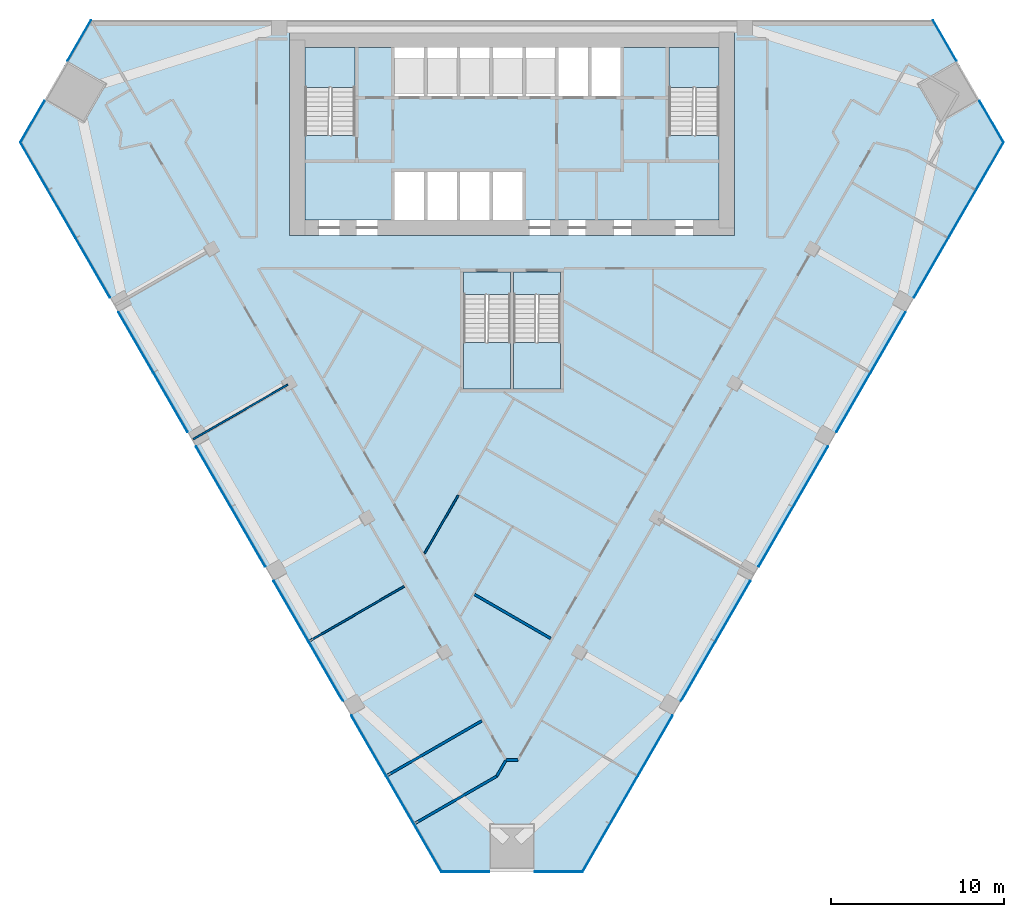
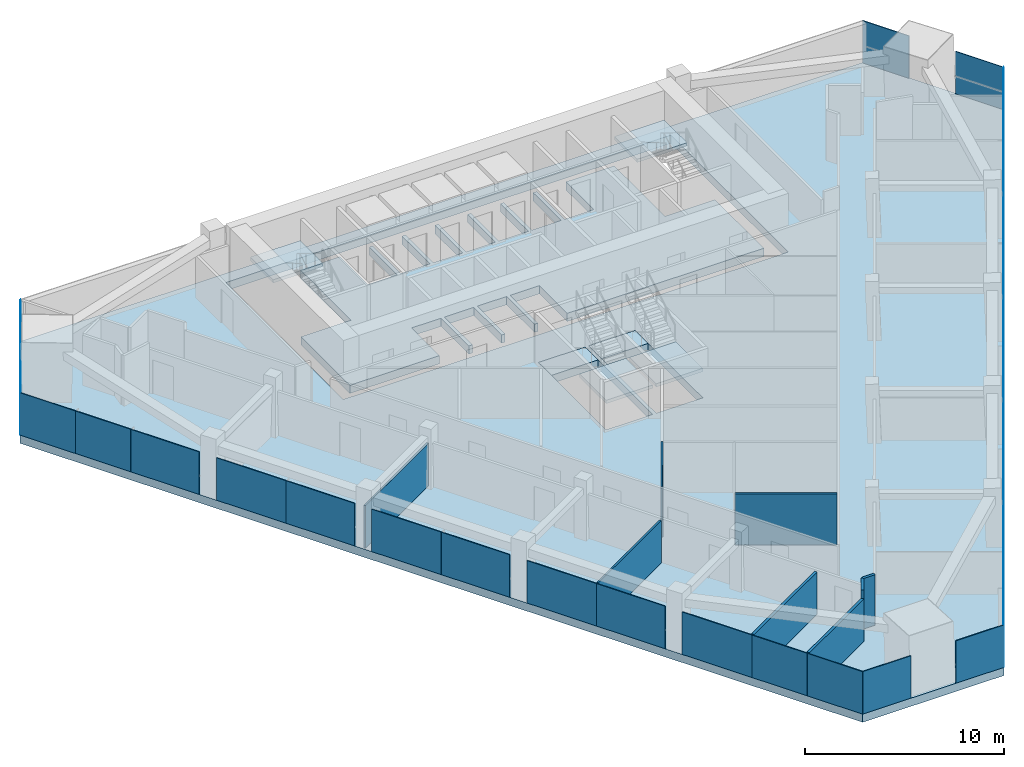
# One storey, part 8 of 14: 30 plates, 8 slabs, 8 walls, 9 elements without a shape of their own.
"""IFC4 building model written with IfcOpenShell, lengths in metres."""

from ifc_helpers import new_model, si_unit, direction, frame, frame_2d, origin, origin_2d, place, context, subcontext, project, spatial, polyline, rectangle, outline, extrude, material, layer, layer_set, type_object, element, aggregate, save


model = new_model("IFC4")

# Units and contexts
model_context = context("Model", 3, precision=1e-05, world=origin(), true_north=direction((0.0, 1.0)))
body_context = subcontext(model_context, "Body", "Model", "MODEL_VIEW")
ifc_project = project(units=[si_unit("LENGTHUNIT", "METRE"), si_unit("AREAUNIT", "SQUARE_METRE"), si_unit("VOLUMEUNIT", "CUBIC_METRE"), si_unit("PLANEANGLEUNIT", "RADIAN"), si_unit("MASSUNIT", "GRAM", prefix="KILO")], contexts=[model_context])

# Site, building, storey
site_placement = place(None, origin())
site = spatial("IfcSite", under=ifc_project, at=site_placement, CompositionType="ELEMENT")
building_placement = place(site_placement, origin())
building = spatial("IfcBuilding", under=site, at=building_placement, Name="Altiplano Prism Tower", CompositionType="ELEMENT")
storey_placement = place(building_placement, frame((0.0, 0.0, 111.60009765625)))
storey = spatial("IfcBuildingStorey", under=building, at=storey_placement, Name="L28", CompositionType="ELEMENT", Elevation=111.60009765625)

# Curtain wall, plates
ifc_material_1 = material(Name="Aluminium and glass", Category="aluminium")
ifc_layer_1 = layer(ifc_material_1, 0.303955078125)
ifc_layer_set_1 = layer_set([ifc_layer_1], Name="Aluminium and glass")
curtain_wall_type = type_object("IfcCurtainWallType", Name="CW2 lounge-band unitised glazing", PredefinedType="NOTDEFINED", material=ifc_layer_set_1)
curtain_wall_1_placement = place(storey_placement, origin())
curtain_wall_1 = element("IfcCurtainWall", 1, at=curtain_wall_1_placement, inside=storey, type_object=curtain_wall_type, Name="CW2 curtain wall north-west chamfer L28", PredefinedType="NOTDEFINED")
ifc_material_2 = material(Name="Clear glass", Category="glass")
ifc_layer_2 = layer(ifc_material_2, 0.0439453125)
ifc_layer_set_2 = layer_set([ifc_layer_2], Name="Clear glass")
plate_type = type_object("IfcPlateType", Name="CW2 insulated glass unit 44", PredefinedType="CURTAIN_PANEL", material=ifc_layer_set_2)
plate_1_placement = place(storey_placement, frame((59.917724609375, 103.81298828125, -0.000244140625), z_axis=(0.0, 0.0, 1.0), x_axis=(-0.500000039737, -0.866025380842, 0.0)))
plate_1 = element("IfcPlate", 2, at=plate_1_placement, type_object=plate_type, Name="CW2 panel", PredefinedType="CURTAIN_PANEL", context=body_context, shape_type="SweptSolid", body=[
    extrude(rectangle(XDim=2.70556640625, YDim=0.0439453125, at=origin_2d()), origin(), (0.0, 0.0, 1.0), 2.60009765625),
])
plate_2_placement = place(storey_placement, frame((57.199951171875, 99.105712890625, -0.000244140625), z_axis=(0.0, 0.0, 1.0), x_axis=(-0.500000039737, -0.866025380842, 0.0)))
plate_2 = element("IfcPlate", 3, at=plate_2_placement, type_object=plate_type, Name="CW2 panel", PredefinedType="CURTAIN_PANEL", context=body_context, shape_type="SweptSolid", body=[
    extrude(rectangle(XDim=2.78564453125, YDim=0.0439453125, at=origin_2d()), origin(), (0.0, 0.0, 1.0), 2.60009765625),
])
aggregate(curtain_wall_1, [plate_1, plate_2])

curtain_wall_2_placement = place(storey_placement, origin())
curtain_wall_2 = element("IfcCurtainWall", 4, at=curtain_wall_2_placement, inside=storey, type_object=curtain_wall_type, Name="CW2 curtain wall south-west face L28", PredefinedType="NOTDEFINED")
plate_3_placement = place(storey_placement, frame((57.303955078125, 96.526611328125, -0.000244140625), z_axis=(0.0, 0.0, 1.0), x_axis=(0.49999999149, -0.866025408698, 0.0)))
plate_3 = element("IfcPlate", 5, at=plate_3_placement, type_object=plate_type, Name="CW2 panel", PredefinedType="CURTAIN_PANEL", context=body_context, shape_type="SweptSolid", body=[
    extrude(rectangle(XDim=3.201171875, YDim=0.0439453125, at=origin_2d()), origin(), (0.0, 0.0, 1.0), 2.60009765625),
])
plate_4_placement = place(storey_placement, frame((58.909423828125, 93.745849609375, -0.000244140625), z_axis=(0.0, 0.0, 1.0), x_axis=(0.49999999149, -0.866025408698, 0.0)))
plate_4 = element("IfcPlate", 6, at=plate_4_placement, type_object=plate_type, Name="CW2 panel", PredefinedType="CURTAIN_PANEL", context=body_context, shape_type="SweptSolid", body=[
    extrude(rectangle(XDim=3.201171875, YDim=0.0439453125, at=origin_2d()), origin(), (0.0, 0.0, 1.0), 2.60009765625),
])
plate_5_placement = place(storey_placement, frame((60.704833984375, 90.635986328125, -0.000244140625), z_axis=(0.0, 0.0, 1.0), x_axis=(0.49999999149, -0.866025408698, 0.0)))
plate_5 = element("IfcPlate", 7, at=plate_5_placement, type_object=plate_type, Name="CW2 panel", PredefinedType="CURTAIN_PANEL", context=body_context, shape_type="SweptSolid", body=[
    extrude(rectangle(XDim=3.96044921875, YDim=0.0439453125, at=origin_2d()), origin(), (0.0, 0.0, 1.0), 2.60009765625),
])
plate_6_placement = place(storey_placement, frame((63.199951171875, 86.314453125, -0.000244140625), z_axis=(0.0, 0.0, 1.0), x_axis=(0.49999999149, -0.866025408698, 0.0)))
plate_6 = element("IfcPlate", 8, at=plate_6_placement, type_object=plate_type, Name="CW2 panel", PredefinedType="CURTAIN_PANEL", context=body_context, shape_type="SweptSolid", body=[
    extrude(rectangle(XDim=4.039306640625, YDim=0.0439453125, at=origin_2d()), origin(), (0.0, 0.0, 1.0), 2.60009765625),
])
plate_7_placement = place(storey_placement, frame((65.204833984375, 82.841796875, -0.000244140625), z_axis=(0.0, 0.0, 1.0), x_axis=(0.49999999149, -0.866025408698, 0.0)))
plate_7 = element("IfcPlate", 9, at=plate_7_placement, type_object=plate_type, Name="CW2 panel", PredefinedType="CURTAIN_PANEL", context=body_context, shape_type="SweptSolid", body=[
    extrude(rectangle(XDim=3.96044921875, YDim=0.0439453125, at=origin_2d()), origin(), (0.0, 0.0, 1.0), 2.60009765625),
])
plate_8_placement = place(storey_placement, frame((67.699951171875, 78.520263671875, -0.000244140625), z_axis=(0.0, 0.0, 1.0), x_axis=(0.49999999149, -0.866025408698, 0.0)))
plate_8 = element("IfcPlate", 10, at=plate_8_placement, type_object=plate_type, Name="CW2 panel", PredefinedType="CURTAIN_PANEL", context=body_context, shape_type="SweptSolid", body=[
    extrude(rectangle(XDim=4.039306640625, YDim=0.0439453125, at=origin_2d()), origin(), (0.0, 0.0, 1.0), 2.60009765625),
])
plate_9_placement = place(storey_placement, frame((69.704833984375, 75.047607421875, -0.000244140625), z_axis=(0.0, 0.0, 1.0), x_axis=(0.49999999149, -0.866025408698, 0.0)))
plate_9 = element("IfcPlate", 11, at=plate_9_placement, type_object=plate_type, Name="CW2 panel", PredefinedType="CURTAIN_PANEL", context=body_context, shape_type="SweptSolid", body=[
    extrude(rectangle(XDim=3.96044921875, YDim=0.0439453125, at=origin_2d()), origin(), (0.0, 0.0, 1.0), 2.60009765625),
])
plate_10_placement = place(storey_placement, frame((72.199951171875, 70.72607421875, -0.000244140625), z_axis=(0.0, 0.0, 1.0), x_axis=(0.49999999149, -0.866025408698, 0.0)))
plate_10 = element("IfcPlate", 12, at=plate_10_placement, type_object=plate_type, Name="CW2 panel", PredefinedType="CURTAIN_PANEL", context=body_context, shape_type="SweptSolid", body=[
    extrude(rectangle(XDim=4.039306640625, YDim=0.0439453125, at=origin_2d()), origin(), (0.0, 0.0, 1.0), 2.60009765625),
])
plate_11_placement = place(storey_placement, frame((74.204833984375, 67.25341796875, -0.000244140625), z_axis=(0.0, 0.0, 1.0), x_axis=(0.49999999149, -0.866025408698, 0.0)))
plate_11 = element("IfcPlate", 13, at=plate_11_placement, type_object=plate_type, Name="CW2 panel", PredefinedType="CURTAIN_PANEL", context=body_context, shape_type="SweptSolid", body=[
    extrude(rectangle(XDim=3.96044921875, YDim=0.0439453125, at=origin_2d()), origin(), (0.0, 0.0, 1.0), 2.60009765625),
])
plate_12_placement = place(storey_placement, frame((76.699951171875, 62.931884765625, -0.000244140625), z_axis=(0.0, 0.0, 1.0), x_axis=(0.49999999149, -0.866025408698, 0.0)))
plate_12 = element("IfcPlate", 14, at=plate_12_placement, type_object=plate_type, Name="CW2 panel", PredefinedType="CURTAIN_PANEL", context=body_context, shape_type="SweptSolid", body=[
    extrude(rectangle(XDim=4.039306640625, YDim=0.0439453125, at=origin_2d()), origin(), (0.0, 0.0, 1.0), 2.60009765625),
])
plate_13_placement = place(storey_placement, frame((78.51513671875, 59.787841796875, -0.000244140625), z_axis=(0.0, 0.0, 1.0), x_axis=(0.49999999149, -0.866025408698, 0.0)))
plate_13 = element("IfcPlate", 15, at=plate_13_placement, type_object=plate_type, Name="CW2 panel", PredefinedType="CURTAIN_PANEL", context=body_context, shape_type="SweptSolid", body=[
    extrude(rectangle(XDim=3.201171875, YDim=0.0439453125, at=origin_2d()), origin(), (0.0, 0.0, 1.0), 2.60009765625),
])
plate_14_placement = place(storey_placement, frame((80.12060546875, 57.0068359375, -0.000244140625), z_axis=(0.0, 0.0, 1.0), x_axis=(0.49999999149, -0.866025408698, 0.0)))
plate_14 = element("IfcPlate", 16, at=plate_14_placement, type_object=plate_type, Name="CW2 panel", PredefinedType="CURTAIN_PANEL", context=body_context, shape_type="SweptSolid", body=[
    extrude(rectangle(XDim=3.201171875, YDim=0.0439453125, at=origin_2d()), origin(), (0.0, 0.0, 1.0), 2.60009765625),
])
aggregate(curtain_wall_2, [plate_3, plate_4, plate_5, plate_6, plate_7, plate_8, plate_9, plate_10, plate_11, plate_12, plate_13, plate_14])

curtain_wall_3_placement = place(storey_placement, origin())
curtain_wall_3 = element("IfcCurtainWall", 17, at=curtain_wall_3_placement, inside=storey, type_object=curtain_wall_type, Name="CW2 curtain wall south chamfer L28", PredefinedType="NOTDEFINED")
plate_15_placement = place(storey_placement, frame((82.30224609375, 55.62744140625, -0.000244140625), z_axis=(0.0, 0.0, 1.0), x_axis=(1.0, 0.0, 0.0)))
plate_15 = element("IfcPlate", 18, at=plate_15_placement, type_object=plate_type, Name="CW2 panel", PredefinedType="CURTAIN_PANEL", context=body_context, shape_type="SweptSolid", body=[
    extrude(rectangle(XDim=2.78564453125, YDim=0.0439453125, at=origin_2d()), origin(), (0.0, 0.0, 1.0), 2.60009765625),
])
plate_16_placement = place(storey_placement, frame((87.69775390625, 55.62744140625, -0.000244140625), z_axis=(0.0, 0.0, 1.0), x_axis=(1.0, 0.0, 0.0)))
plate_16 = element("IfcPlate", 19, at=plate_16_placement, type_object=plate_type, Name="CW2 panel", PredefinedType="CURTAIN_PANEL", context=body_context, shape_type="SweptSolid", body=[
    extrude(rectangle(XDim=2.78564453125, YDim=0.0439453125, at=origin_2d()), origin(), (0.0, 0.0, 1.0), 2.60009765625),
])
aggregate(curtain_wall_3, [plate_15, plate_16])

curtain_wall_4_placement = place(storey_placement, origin())
curtain_wall_4 = element("IfcCurtainWall", 20, at=curtain_wall_4_placement, inside=storey, type_object=curtain_wall_type, Name="CW2 curtain wall south-east face L28", PredefinedType="NOTDEFINED")
plate_17_placement = place(storey_placement, frame((89.87939453125, 57.0068359375, -0.000244140625), z_axis=(0.0, 0.0, 1.0), x_axis=(0.49999999149, 0.866025408698, 0.0)))
plate_17 = element("IfcPlate", 21, at=plate_17_placement, type_object=plate_type, Name="CW2 panel", PredefinedType="CURTAIN_PANEL", context=body_context, shape_type="SweptSolid", body=[
    extrude(rectangle(XDim=3.201171875, YDim=0.0439453125, at=origin_2d()), origin(), (0.0, 0.0, 1.0), 2.60009765625),
])
plate_18_placement = place(storey_placement, frame((91.48486328125, 59.787841796875, -0.000244140625), z_axis=(0.0, 0.0, 1.0), x_axis=(0.49999999149, 0.866025408698, 0.0)))
plate_18 = element("IfcPlate", 22, at=plate_18_placement, type_object=plate_type, Name="CW2 panel", PredefinedType="CURTAIN_PANEL", context=body_context, shape_type="SweptSolid", body=[
    extrude(rectangle(XDim=3.201171875, YDim=0.0439453125, at=origin_2d()), origin(), (0.0, 0.0, 1.0), 2.60009765625),
])
plate_19_placement = place(storey_placement, frame((93.300048828125, 62.931884765625, -0.000244140625), z_axis=(0.0, 0.0, 1.0), x_axis=(0.49999999149, 0.866025408698, 0.0)))
plate_19 = element("IfcPlate", 23, at=plate_19_placement, type_object=plate_type, Name="CW2 panel", PredefinedType="CURTAIN_PANEL", context=body_context, shape_type="SweptSolid", body=[
    extrude(rectangle(XDim=4.039306640625, YDim=0.0439453125, at=origin_2d()), origin(), (0.0, 0.0, 1.0), 2.60009765625),
])
plate_20_placement = place(storey_placement, frame((95.795166015625, 67.25341796875, -0.000244140625), z_axis=(0.0, 0.0, 1.0), x_axis=(0.49999999149, 0.866025408698, 0.0)))
plate_20 = element("IfcPlate", 24, at=plate_20_placement, type_object=plate_type, Name="CW2 panel", PredefinedType="CURTAIN_PANEL", context=body_context, shape_type="SweptSolid", body=[
    extrude(rectangle(XDim=3.96044921875, YDim=0.0439453125, at=origin_2d()), origin(), (0.0, 0.0, 1.0), 2.60009765625),
])
plate_21_placement = place(storey_placement, frame((97.800048828125, 70.72607421875, -0.000244140625), z_axis=(0.0, 0.0, 1.0), x_axis=(0.49999999149, 0.866025408698, 0.0)))
plate_21 = element("IfcPlate", 25, at=plate_21_placement, type_object=plate_type, Name="CW2 panel", PredefinedType="CURTAIN_PANEL", context=body_context, shape_type="SweptSolid", body=[
    extrude(rectangle(XDim=4.039306640625, YDim=0.0439453125, at=origin_2d()), origin(), (0.0, 0.0, 1.0), 2.60009765625),
])
plate_22_placement = place(storey_placement, frame((100.295166015625, 75.047607421875, -0.000244140625), z_axis=(0.0, 0.0, 1.0), x_axis=(0.49999999149, 0.866025408698, 0.0)))
plate_22 = element("IfcPlate", 26, at=plate_22_placement, type_object=plate_type, Name="CW2 panel", PredefinedType="CURTAIN_PANEL", context=body_context, shape_type="SweptSolid", body=[
    extrude(rectangle(XDim=3.96044921875, YDim=0.0439453125, at=origin_2d()), origin(), (0.0, 0.0, 1.0), 2.60009765625),
])
plate_23_placement = place(storey_placement, frame((102.300048828125, 78.520263671875, -0.000244140625), z_axis=(0.0, 0.0, 1.0), x_axis=(0.49999999149, 0.866025408698, 0.0)))
plate_23 = element("IfcPlate", 27, at=plate_23_placement, type_object=plate_type, Name="CW2 panel", PredefinedType="CURTAIN_PANEL", context=body_context, shape_type="SweptSolid", body=[
    extrude(rectangle(XDim=4.039306640625, YDim=0.0439453125, at=origin_2d()), origin(), (0.0, 0.0, 1.0), 2.60009765625),
])
plate_24_placement = place(storey_placement, frame((104.795166015625, 82.841796875, -0.000244140625), z_axis=(0.0, 0.0, 1.0), x_axis=(0.49999999149, 0.866025408698, 0.0)))
plate_24 = element("IfcPlate", 28, at=plate_24_placement, type_object=plate_type, Name="CW2 panel", PredefinedType="CURTAIN_PANEL", context=body_context, shape_type="SweptSolid", body=[
    extrude(rectangle(XDim=3.96044921875, YDim=0.0439453125, at=origin_2d()), origin(), (0.0, 0.0, 1.0), 2.60009765625),
])
plate_25_placement = place(storey_placement, frame((106.800048828125, 86.314453125, -0.000244140625), z_axis=(0.0, 0.0, 1.0), x_axis=(0.49999999149, 0.866025408698, 0.0)))
plate_25 = element("IfcPlate", 29, at=plate_25_placement, type_object=plate_type, Name="CW2 panel", PredefinedType="CURTAIN_PANEL", context=body_context, shape_type="SweptSolid", body=[
    extrude(rectangle(XDim=4.039306640625, YDim=0.0439453125, at=origin_2d()), origin(), (0.0, 0.0, 1.0), 2.60009765625),
])
plate_26_placement = place(storey_placement, frame((109.295166015625, 90.635986328125, -0.000244140625), z_axis=(0.0, 0.0, 1.0), x_axis=(0.49999999149, 0.866025408698, 0.0)))
plate_26 = element("IfcPlate", 30, at=plate_26_placement, type_object=plate_type, Name="CW2 panel", PredefinedType="CURTAIN_PANEL", context=body_context, shape_type="SweptSolid", body=[
    extrude(rectangle(XDim=3.96044921875, YDim=0.0439453125, at=origin_2d()), origin(), (0.0, 0.0, 1.0), 2.60009765625),
])
plate_27_placement = place(storey_placement, frame((111.090576171875, 93.745849609375, -0.000244140625), z_axis=(0.0, 0.0, 1.0), x_axis=(0.49999999149, 0.866025408698, 0.0)))
plate_27 = element("IfcPlate", 31, at=plate_27_placement, type_object=plate_type, Name="CW2 panel", PredefinedType="CURTAIN_PANEL", context=body_context, shape_type="SweptSolid", body=[
    extrude(rectangle(XDim=3.201171875, YDim=0.0439453125, at=origin_2d()), origin(), (0.0, 0.0, 1.0), 2.60009765625),
])
plate_28_placement = place(storey_placement, frame((112.696044921875, 96.526611328125, -0.000244140625), z_axis=(0.0, 0.0, 1.0), x_axis=(0.49999999149, 0.866025408698, 0.0)))
plate_28 = element("IfcPlate", 32, at=plate_28_placement, type_object=plate_type, Name="CW2 panel", PredefinedType="CURTAIN_PANEL", context=body_context, shape_type="SweptSolid", body=[
    extrude(rectangle(XDim=3.201171875, YDim=0.0439453125, at=origin_2d()), origin(), (0.0, 0.0, 1.0), 2.60009765625),
])
aggregate(curtain_wall_4, [plate_17, plate_18, plate_19, plate_20, plate_21, plate_22, plate_23, plate_24, plate_25, plate_26, plate_27, plate_28])

curtain_wall_5_placement = place(storey_placement, origin())
curtain_wall_5 = element("IfcCurtainWall", 33, at=curtain_wall_5_placement, inside=storey, type_object=curtain_wall_type, Name="CW2 curtain wall north-east chamfer L28", PredefinedType="NOTDEFINED")
plate_29_placement = place(storey_placement, frame((112.800048828125, 99.105712890625, -0.000244140625), z_axis=(0.0, 0.0, 1.0), x_axis=(-0.500000039737, 0.866025380842, 0.0)))
plate_29 = element("IfcPlate", 34, at=plate_29_placement, type_object=plate_type, Name="CW2 panel", PredefinedType="CURTAIN_PANEL", context=body_context, shape_type="SweptSolid", body=[
    extrude(rectangle(XDim=2.78564453125, YDim=0.0439453125, at=origin_2d()), origin(), (0.0, 0.0, 1.0), 2.60009765625),
])
plate_30_placement = place(storey_placement, frame((110.082275390625, 103.81298828125, -0.000244140625), z_axis=(0.0, 0.0, 1.0), x_axis=(-0.500000039737, 0.866025380842, 0.0)))
plate_30 = element("IfcPlate", 35, at=plate_30_placement, type_object=plate_type, Name="CW2 panel", PredefinedType="CURTAIN_PANEL", context=body_context, shape_type="SweptSolid", body=[
    extrude(rectangle(XDim=2.70556640625, YDim=0.0439453125, at=origin_2d()), origin(), (0.0, 0.0, 1.0), 2.60009765625),
])
aggregate(curtain_wall_5, [plate_29, plate_30])

# Slabs
ifc_material_3 = material(Name="Concrete C40/50", Category="concrete")
ifc_layer_3 = layer(ifc_material_3, 0.5)
ifc_layer_set_3 = layer_set([ifc_layer_3], Name="Concrete C40/50")
slab_type_1 = type_object("IfcSlabType", Name="Core floor slab 500", PredefinedType="FLOOR", material=ifc_layer_set_3)
slab_1_placement = place(storey_placement, frame((0.0, 0.0, -0.5)))
element("IfcSlab", 36, at=slab_1_placement, inside=storey, type_object=slab_type_1, Name="Core floor slab L28", PredefinedType="FLOOR", context=body_context, shape_type="SweptSolid", body=[
    extrude(outline(polyline([(97.0, 98.31005859375), (94.10009765625, 98.31005859375), (94.10009765625, 103.39990234375), (91.300048828125, 103.39990234375), (91.300048828125, 100.60009765625), (89.60009765625, 100.60009765625), (89.60009765625, 103.39990234375), (89.39990234375, 103.39990234375), (89.39990234375, 100.60009765625), (87.699951171875, 100.60009765625), (87.699951171875, 103.39990234375), (87.5, 103.39990234375), (87.5, 100.60009765625), (85.800048828125, 100.60009765625), (85.800048828125, 103.39990234375), (85.60009765625, 103.39990234375), (85.60009765625, 100.60009765625), (83.89990234375, 100.60009765625), (83.89990234375, 103.39990234375), (83.699951171875, 103.39990234375), (83.699951171875, 100.60009765625), (82.0, 100.60009765625), (82.0, 103.39990234375), (81.800048828125, 103.39990234375), (81.800048828125, 100.60009765625), (80.10009765625, 100.60009765625), (80.10009765625, 103.39990234375), (79.89990234375, 103.39990234375), (79.89990234375, 100.60009765625), (78.199951171875, 100.60009765625), (78.199951171875, 103.39990234375), (75.89990234375, 103.39990234375), (75.89990234375, 98.31005859375), (73.0, 98.31005859375), (73.0, 93.39990234375), (78.199951171875, 93.39990234375), (78.199951171875, 96.199951171875), (79.89990234375, 96.199951171875), (79.89990234375, 93.39990234375), (80.10009765625, 93.39990234375), (80.10009765625, 96.199951171875), (81.800048828125, 96.199951171875), (81.800048828125, 93.39990234375), (82.0, 93.39990234375), (82.0, 96.199951171875), (83.699951171875, 96.199951171875), (83.699951171875, 93.39990234375), (83.89990234375, 93.39990234375), (83.89990234375, 96.199951171875), (85.60009765625, 96.199951171875), (85.60009765625, 93.39990234375), (97.0, 93.39990234375), (97.0, 98.31005859375)])), origin(), (0.0, 0.0, 1.0), 0.5),
])
slab_2_placement = place(storey_placement, frame((0.0, 0.0, -0.5)))
element("IfcSlab", 37, at=slab_2_placement, inside=storey, type_object=slab_type_1, Name="Stair 3A landing slab L28", PredefinedType="FLOOR", context=body_context, shape_type="SweptSolid", body=[
    extrude(outline(polyline([(82.199951171875, 89.096923828125), (84.89990234375, 89.096923828125), (84.89990234375, 90.39990234375), (82.199951171875, 90.39990234375), (82.199951171875, 89.096923828125)])), origin(), (0.0, 0.0, 1.0), 0.5),
])
slab_3_placement = place(storey_placement, frame((0.0, 0.0, -0.5)))
element("IfcSlab", 38, at=slab_3_placement, inside=storey, type_object=slab_type_1, Name="Stair 3B landing slab L28", PredefinedType="FLOOR", context=body_context, shape_type="SweptSolid", body=[
    extrude(outline(polyline([(85.10009765625, 89.096923828125), (87.800048828125, 89.096923828125), (87.800048828125, 90.39990234375), (85.10009765625, 90.39990234375), (85.10009765625, 89.096923828125)])), origin(), (0.0, 0.0, 1.0), 0.5),
])
ifc_layer_4 = layer(ifc_material_3, 0.5)
ifc_layer_set_4 = layer_set([ifc_layer_4], Name="Concrete C40/50")
slab_type_2 = type_object("IfcSlabType", Name="Post-tensioned flat slab 500", PredefinedType="FLOOR", material=ifc_layer_set_4)
slab_4_placement = place(storey_placement, frame((0.0, 0.0, -0.5)))
element("IfcSlab", 39, at=slab_4_placement, inside=storey, type_object=slab_type_2, Name="Floor slab L28", PredefinedType="FLOOR", context=body_context, shape_type="SweptSolid", body=[
    extrude(outline(polyline([(80.904296875, 55.60546875), (56.48193359375, 97.90625), (60.57763671875, 105.0), (109.42236328125, 105.0), (113.51806640625, 97.90625), (89.095703125, 55.60546875), (80.904296875, 55.60546875)]), holes=[polyline([(72.10009765625, 104.300048828125), (72.10009765625, 92.5), (97.89990234375, 92.5), (97.89990234375, 104.300048828125), (72.10009765625, 104.300048828125)]), polyline([(84.89990234375, 90.39990234375), (82.199951171875, 90.39990234375), (82.199951171875, 83.60009765625), (84.89990234375, 83.60009765625), (84.89990234375, 90.39990234375)]), polyline([(87.800048828125, 83.60009765625), (87.800048828125, 90.39990234375), (85.10009765625, 90.39990234375), (85.10009765625, 83.60009765625), (87.800048828125, 83.60009765625)])]), origin(), (0.0, 0.0, 1.0), 0.5),
])

# Stair, slab
stair_type_1 = type_object("IfcStairType", Name="Exit stair 1400", PredefinedType="HALF_TURN_STAIR", material=ifc_material_3)
stair_1_placement = place(storey_placement, origin())
stair_1 = element("IfcStair", 40, at=stair_1_placement, inside=storey, type_object=stair_type_1, Name="L28 Exit Stair 1", PredefinedType="HALF_TURN_STAIR")
ifc_layer_5 = layer(ifc_material_3, 0.199951171875)
ifc_layer_set_5 = layer_set([ifc_layer_5], Name="Concrete C40/50")
slab_type_3 = type_object("IfcSlabType", Name="Stair landing 200", PredefinedType="LANDING", material=ifc_layer_set_5)
slab_5_placement = place(storey_placement, frame((0.0, 0.0, 1.599853515625)))
slab_5 = element("IfcSlab", 41, at=slab_5_placement, type_object=slab_type_3, Name="ST1 landing 1", PredefinedType="LANDING", context=body_context, shape_type="SweptSolid", body=[
    extrude(outline(polyline([(75.89990234375, 101.096923828125), (75.89990234375, 103.39990234375), (73.0, 103.39990234375), (73.0, 101.096923828125), (75.89990234375, 101.096923828125)])), origin(), (0.0, 0.0, 1.0), 0.199951171875),
])
aggregate(stair_1, [slab_5])

stair_2_placement = place(storey_placement, origin())
stair_2 = element("IfcStair", 42, at=stair_2_placement, inside=storey, type_object=stair_type_1, Name="L28 Exit Stair 2", PredefinedType="HALF_TURN_STAIR")
slab_6_placement = place(storey_placement, frame((0.0, 0.0, 1.599853515625)))
slab_6 = element("IfcSlab", 43, at=slab_6_placement, type_object=slab_type_3, Name="ST2 landing 1", PredefinedType="LANDING", context=body_context, shape_type="SweptSolid", body=[
    extrude(outline(polyline([(97.0, 101.096923828125), (97.0, 103.39990234375), (94.10009765625, 103.39990234375), (94.10009765625, 101.096923828125), (97.0, 101.096923828125)])), origin(), (0.0, 0.0, 1.0), 0.199951171875),
])
aggregate(stair_2, [slab_6])

stair_type_2 = type_object("IfcStairType", Name="Exit stair 1300", PredefinedType="HALF_TURN_STAIR", material=ifc_material_3)
stair_3_placement = place(storey_placement, origin())
stair_3 = element("IfcStair", 44, at=stair_3_placement, inside=storey, type_object=stair_type_2, Name="L28 Exit Stair 3A", PredefinedType="HALF_TURN_STAIR")
slab_7_placement = place(storey_placement, frame((0.0, 0.0, 1.599853515625)))
slab_7 = element("IfcSlab", 45, at=slab_7_placement, type_object=slab_type_3, Name="ST3A landing 1", PredefinedType="LANDING", context=body_context, shape_type="SweptSolid", body=[
    extrude(outline(polyline([(82.199951171875, 86.302978515625), (82.199951171875, 83.60009765625), (84.89990234375, 83.60009765625), (84.89990234375, 86.302978515625), (82.199951171875, 86.302978515625)])), origin(), (0.0, 0.0, 1.0), 0.199951171875),
])
aggregate(stair_3, [slab_7])

stair_4_placement = place(storey_placement, origin())
stair_4 = element("IfcStair", 46, at=stair_4_placement, inside=storey, type_object=stair_type_2, Name="L28 Exit Stair 3B", PredefinedType="HALF_TURN_STAIR")
slab_8_placement = place(storey_placement, frame((0.0, 0.0, 1.599853515625)))
slab_8 = element("IfcSlab", 47, at=slab_8_placement, type_object=slab_type_3, Name="ST3B landing 1", PredefinedType="LANDING", context=body_context, shape_type="SweptSolid", body=[
    extrude(outline(polyline([(85.10009765625, 86.302978515625), (85.10009765625, 83.60009765625), (87.800048828125, 83.60009765625), (87.800048828125, 86.302978515625), (85.10009765625, 86.302978515625)])), origin(), (0.0, 0.0, 1.0), 0.199951171875),
])
aggregate(stair_4, [slab_8])

# Walls
ifc_material_4 = material(Name="Plasterboard on steel stud", Category="steel")
ifc_layer_6 = layer(ifc_material_4, 0.10009765625)
ifc_layer_set_6 = layer_set([ifc_layer_6], Name="Plasterboard on steel stud")
wall_type_1 = type_object("IfcWallType", Name="Partition 100 wet", PredefinedType="PARTITIONING", material=ifc_layer_set_6)
for number, where, z_axis, x_axis, name in (
    (48, (66.52978515625, 80.702880859375, 0.0), (0.0, 0.0, 1.0), (0.866015887322, 0.500016482634, 0.0), "Partition P03 L28 042"),
    (49, (73.27978515625, 69.01171875, 0.0), (0.0, 0.0, 1.0), (0.866032601554, 0.49998753289, 0.0), "Partition P03 L28 043"),
):
    element("IfcWall", number, at=place(storey_placement, frame(where, z_axis=z_axis, x_axis=x_axis)), inside=storey, type_object=wall_type_1, Name=name, PredefinedType="PARTITIONING", context=body_context, shape_type="SweptSolid", body=[
        extrude(rectangle(XDim=6.324951171875, YDim=0.10009765625, at=frame_2d((3.16259765625, 0.0))), origin(), (0.0, 0.0, 1.0), 2.599853515625),
    ])
wall_1_placement = place(storey_placement, frame((79.936279296875, 74.082275390625, 0.0), z_axis=(0.0, 0.0, 1.0), x_axis=(0.50002608053, 0.86601034566, 0.0)))
element("IfcWall", 50, at=wall_1_placement, inside=storey, type_object=wall_type_1, Name="Partition P03 L28 060", PredefinedType="PARTITIONING", context=body_context, shape_type="SweptSolid", body=[
    extrude(rectangle(XDim=3.897705078125, YDim=0.10009765625, at=frame_2d((1.94873046875, 0.0))), origin(), (0.0, 0.0, 1.0), 3.099853515625),
])
ifc_layer_7 = layer(ifc_material_4, 0.14990234375)
ifc_layer_set_7 = layer_set([ifc_layer_7], Name="Plasterboard on steel stud")
wall_type_2 = type_object("IfcWallType", Name="Partition 150 corridor", PredefinedType="PARTITIONING", material=ifc_layer_set_7)
wall_2_placement = place(storey_placement, frame((84.6572265625, 62.10546875, 0.0), z_axis=(0.0, 0.0, 1.0), x_axis=(1.0, 0.0, 0.0)))
element("IfcWall", 51, at=wall_2_placement, inside=storey, type_object=wall_type_2, Name="Partition P06 L28 009", PredefinedType="PARTITIONING", context=body_context, shape_type="SweptSolid", body=[
    extrude(rectangle(XDim=0.685546875, YDim=0.14990234375, at=frame_2d((0.3427734375, 0.0))), origin(), (0.0, 0.0, 1.0), 3.099853515625),
])
ifc_layer_8 = layer(ifc_material_4, 0.14990234375)
ifc_layer_set_8 = layer_set([ifc_layer_8], Name="Plasterboard on steel stud")
wall_type_3 = type_object("IfcWallType", Name="Partition 150 party", PredefinedType="PARTITIONING", material=ifc_layer_set_8)
wall_3_placement = place(storey_placement, frame((87.2451171875, 69.150146484375, 0.0), z_axis=(0.0, 0.0, 1.0), x_axis=(-0.866030736048, 0.499990764135, 0.0)))
element("IfcWall", 52, at=wall_3_placement, inside=storey, type_object=wall_type_3, Name="Partition P01 L28 037", PredefinedType="PARTITIONING", context=body_context, shape_type="SweptSolid", body=[
    extrude(rectangle(XDim=5.11962890625, YDim=0.14990234375, at=frame_2d((2.559814453125, 0.0))), origin(), (0.0, 0.0, 1.0), 3.099853515625),
])
wall_4_placement = place(storey_placement, frame((77.77978515625, 61.21728515625, 0.0), z_axis=(0.0, 0.0, 1.0), x_axis=(0.866015887322, 0.500016482634, 0.0)))
element("IfcWall", 53, at=wall_4_placement, inside=storey, type_object=wall_type_3, Name="Partition P01 L28 044", PredefinedType="PARTITIONING", context=body_context, shape_type="SweptSolid", body=[
    extrude(rectangle(XDim=6.324951171875, YDim=0.14990234375, at=frame_2d((3.16259765625, 0.0))), origin(), (0.0, 0.0, 1.0), 2.599853515625),
])
wall_5_placement = place(storey_placement, frame((79.385498046875, 58.4365234375, 0.0), z_axis=(0.0, 0.0, 1.0), x_axis=(0.86601735395, 0.500013942463, 0.0)))
element("IfcWall", 54, at=wall_5_placement, inside=storey, type_object=wall_type_3, Name="Partition P01 L28 045", PredefinedType="PARTITIONING", context=body_context, shape_type="SweptSolid", body=[
    extrude(rectangle(XDim=5.461669921875, YDim=0.14990234375, at=frame_2d((2.73095703125, 0.0))), origin(), (0.0, 0.0, 1.0), 2.599853515625),
])
wall_6_placement = place(storey_placement, frame((84.115478515625, 61.16748046875, 0.0), z_axis=(0.0, 0.0, 1.0), x_axis=(0.500138652881, 0.865945337706, 0.0)))
element("IfcWall", 55, at=wall_6_placement, inside=storey, type_object=wall_type_3, Name="Partition P01 L28 046", PredefinedType="PARTITIONING", context=body_context, shape_type="SweptSolid", body=[
    extrude(rectangle(XDim=1.083251953125, YDim=0.14990234375, at=frame_2d((0.54150390625, 0.0))), origin(), (0.0, 0.0, 1.0), 3.099853515625),
])

save(model, "model.ifc")
